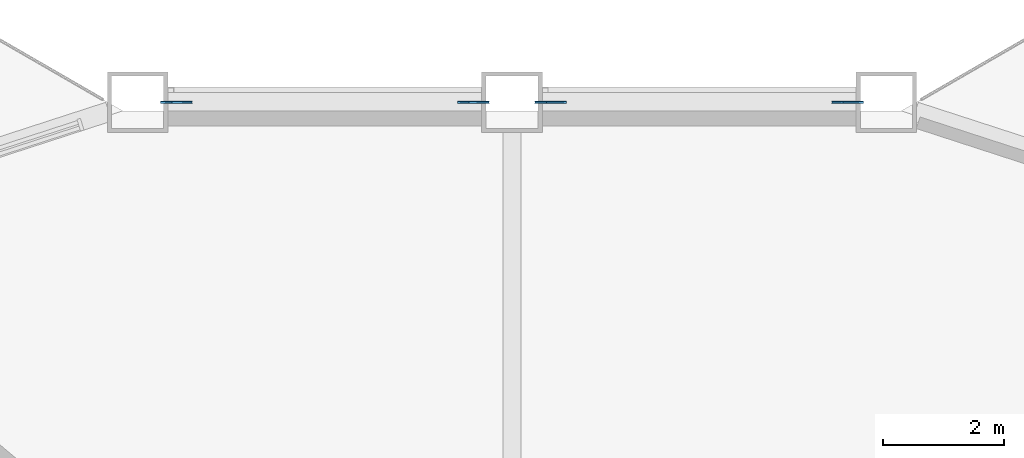
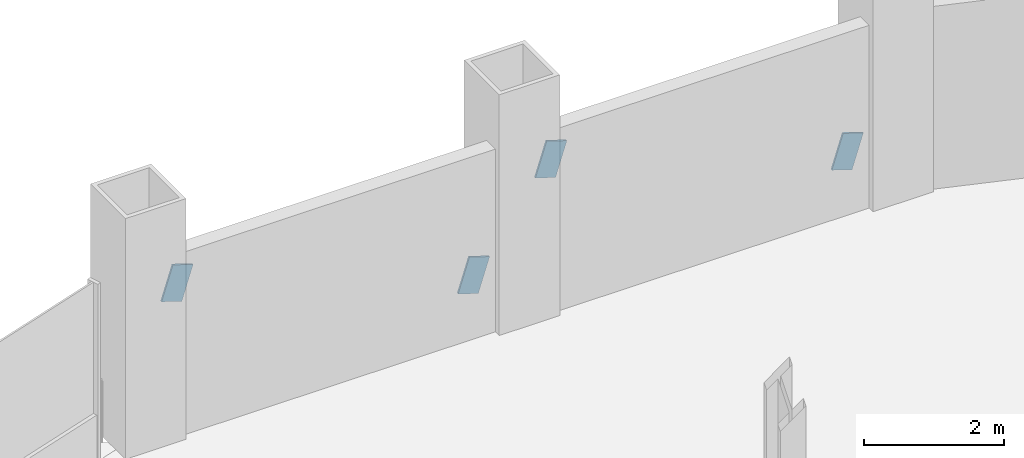
# One storey, part 16 of 21: 4 discrete accessories.
"""IFC4 building model written with IfcOpenShell, lengths in metres."""

from ifc_helpers import new_model, si_unit, direction, frame, origin, origin_2d, place, context, subcontext, project, spatial, rectangle, extrude, material, material_profile, profile_set, type_object, element, save


model = new_model("IFC4")

# Units and contexts
model_context = context("Model", 3, precision=1e-05, world=origin(), true_north=direction((0.0, 1.0)))
body_context = subcontext(model_context, "Body", "Model", "MODEL_VIEW")
ifc_project = project(units=[si_unit("LENGTHUNIT", "METRE"), si_unit("AREAUNIT", "SQUARE_METRE"), si_unit("VOLUMEUNIT", "CUBIC_METRE"), si_unit("PLANEANGLEUNIT", "RADIAN"), si_unit("MASSUNIT", "GRAM", prefix="KILO")], contexts=[model_context])

# Site, building, storey
site_placement = place(None, origin())
site = spatial("IfcSite", under=ifc_project, at=site_placement, CompositionType="ELEMENT")
building_placement = place(site_placement, origin())
building = spatial("IfcBuilding", under=site, at=building_placement, Name="Cormorant Prow Tower", CompositionType="ELEMENT")
storey_placement = place(building_placement, frame((0.0, 0.0, 67.800048828125)))
storey = spatial("IfcBuildingStorey", under=building, at=storey_placement, Name="L14", CompositionType="ELEMENT", Elevation=67.800048828125)

# Discrete accessories
ifc_material = material(Name="Structural steel ASTM A500 Gr C", Category="steel")
ifc_material_profile = material_profile(ifc_material, rectangle(XDim=0.031982421875, YDim=0.60791015625, at=origin_2d()), Name="Gusset plate 32x608")
ifc_profile_set = profile_set([ifc_material_profile], Name="Structural steel ASTM A500 Gr C")
discrete_accessory_type = type_object("IfcDiscreteAccessoryType", Name="Gusset plate 32x608", PredefinedType="BRACKET", material=ifc_profile_set)
for number, where, z_axis, x_axis, name in (
    (1, (5.365478515625, 32.233642578125, 0.859130859375), (0.951708617761, 0.0, -0.307002779923), (0.0, 1.0, 0.0), "Gusset plate GP1 L14.N00.g0"),
    (2, (0.80419921875, 32.233642578125, 2.32958984375), (-0.951708617761, 0.0, 0.307002779923), (0.0, -1.0, 0.0), "Gusset plate GP1 L14.N00.g1"),
    (3, (-0.80419921875, 32.233642578125, 0.859130859375), (0.951708617761, 0.0, -0.307002779923), (0.0, 1.0, 0.0), "Gusset plate GP1 L14.N01.g0"),
    (4, (-5.365478515625, 32.233642578125, 2.32958984375), (-0.951708617761, 0.0, 0.307002779923), (0.0, -1.0, 0.0), "Gusset plate GP1 L14.N01.g1"),
):
    element("IfcDiscreteAccessory", number, at=place(storey_placement, frame(where, z_axis=z_axis, x_axis=x_axis)), inside=storey, type_object=discrete_accessory_type, Name=name, PredefinedType="BRACKET", context=body_context, shape_type="SweptSolid", body=[
        extrude(rectangle(XDim=0.031982421875, YDim=0.60791015625, at=origin_2d()), origin(), (0.0, 0.0, 1.0), 0.349853515625),
    ])

save(model, "model.ifc")
